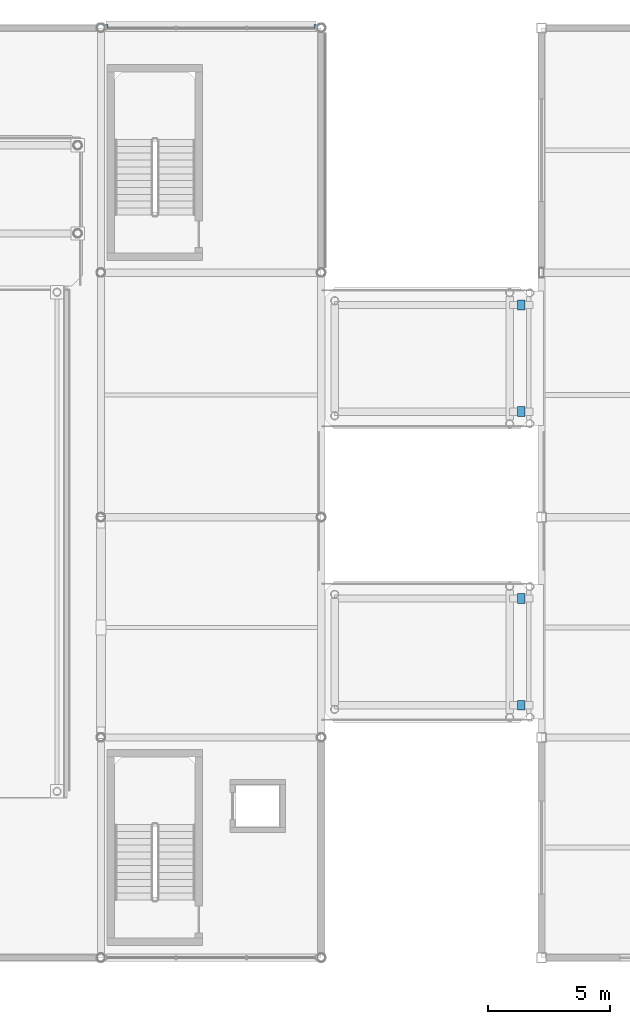
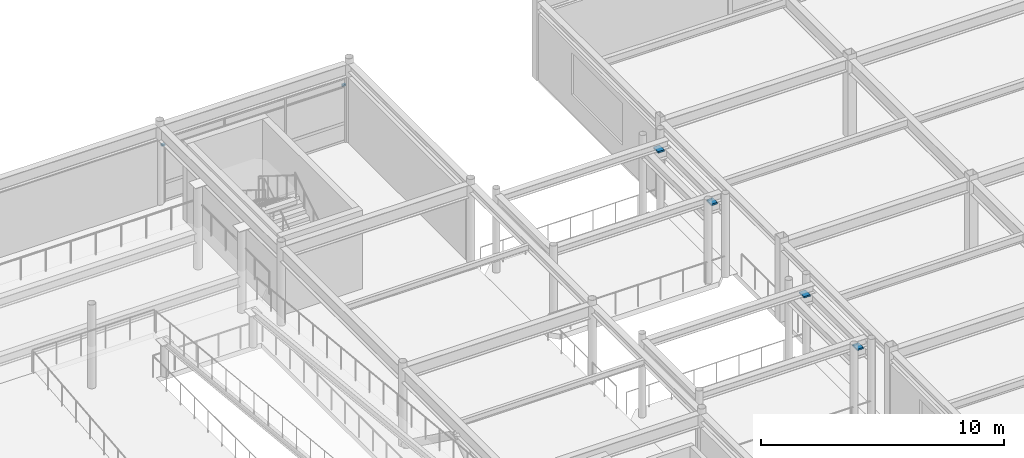
# One storey, part 53 of 70: 6 discrete accessories.
"""IFC4 building model written with IfcOpenShell, lengths in metres."""

from ifc_helpers import new_model, si_unit, direction, frame, origin, origin_2d, place, context, subcontext, project, spatial, rectangle, extrude, material, type_object, element, save


model = new_model("IFC4")

# Units and contexts
model_context = context("Model", 3, precision=1e-05, world=origin(), true_north=direction((0.0, 1.0)))
body_context = subcontext(model_context, "Body", "Model", "MODEL_VIEW")
ifc_project = project(units=[si_unit("LENGTHUNIT", "METRE"), si_unit("AREAUNIT", "SQUARE_METRE"), si_unit("VOLUMEUNIT", "CUBIC_METRE"), si_unit("PLANEANGLEUNIT", "RADIAN"), si_unit("MASSUNIT", "GRAM", prefix="KILO")], contexts=[model_context])

# Site, building, storey
site_placement = place(None, origin())
site = spatial("IfcSite", under=ifc_project, at=site_placement, CompositionType="ELEMENT")
building_placement = place(site_placement, origin())
building = spatial("IfcBuilding", under=site, at=building_placement, Name="Suzunagisa Mobility Hub", CompositionType="ELEMENT")
storey_placement = place(building_placement, frame((0.0, 0.0, 13.5)))
storey = spatial("IfcBuildingStorey", under=building, at=storey_placement, Name="L03", CompositionType="ELEMENT", Elevation=13.5)

# Discrete accessories
ifc_material_1 = material(Name="Stainless Steel SUS316", Category="metal")
discrete_accessory_type_1 = type_object("IfcDiscreteAccessoryType", Name="Stainless Sunshade Outrigger Bracket BRK-01", PredefinedType="BRACKET", material=ifc_material_1)
for number, where, z_axis, x_axis, name in (
    (1, (35.792236328125, 118.0849609375, 2.760009765625), (0.0, 0.0, 1.0), (-1.0, 0.0, 0.0), "Sunshade Outrigger Bracket BRK-15.1"),
    (2, (27.207763671875, 118.0849609375, 2.760009765625), (0.0, 0.0, 1.0), (-1.0, 0.0, 0.0), "Sunshade Outrigger Bracket BRK-15.2"),
):
    element("IfcDiscreteAccessory", number, at=place(storey_placement, frame(where, z_axis=z_axis, x_axis=x_axis)), inside=storey, type_object=discrete_accessory_type_1, Name=name, PredefinedType="BRACKET", context=body_context, shape_type="SweptSolid", body=[
        extrude(rectangle(XDim=0.159912109375, YDim=0.1201171875, at=origin_2d()), origin(), (0.0, 0.0, 1.0), 0.080078125),
    ])
ifc_material_2 = material(Name="PTFE Elastomeric Bearing Assembly")
discrete_accessory_type_2 = type_object("IfcDiscreteAccessoryType", Name="Unguided PTFE Sliding Bearing SBG-01", PredefinedType="SHOE", material=ifc_material_2)
for number, where, z_axis, x_axis, name in (
    (3, (44.175048828125, 90.320068359375, 3.510009765625), (0.0, 0.0, 1.0), (1.0, 0.0, 0.0), "Skybridge PTFE Sliding Bearing VRL-L04-S-A"),
    (4, (44.175048828125, 94.679931640625, 3.510009765625), (0.0, 0.0, 1.0), (1.0, 0.0, 0.0), "Skybridge PTFE Sliding Bearing VRL-L04-S-B"),
    (5, (44.175048828125, 102.320068359375, 3.510009765625), (0.0, 0.0, 1.0), (1.0, 0.0, 0.0), "Skybridge PTFE Sliding Bearing VRL-L04-N-A"),
    (6, (44.175048828125, 106.679931640625, 3.510009765625), (0.0, 0.0, 1.0), (1.0, 0.0, 0.0), "Skybridge PTFE Sliding Bearing VRL-L04-N-B"),
):
    element("IfcDiscreteAccessory", number, at=place(storey_placement, frame(where, z_axis=z_axis, x_axis=x_axis)), inside=storey, type_object=discrete_accessory_type_2, Name=name, PredefinedType="SHOE", context=body_context, shape_type="SweptSolid", body=[
        extrude(rectangle(XDim=0.300048828125, YDim=0.39990234375, at=origin_2d()), origin(), (0.0, 0.0, 1.0), 0.080078125),
    ])

save(model, "model.ifc")
